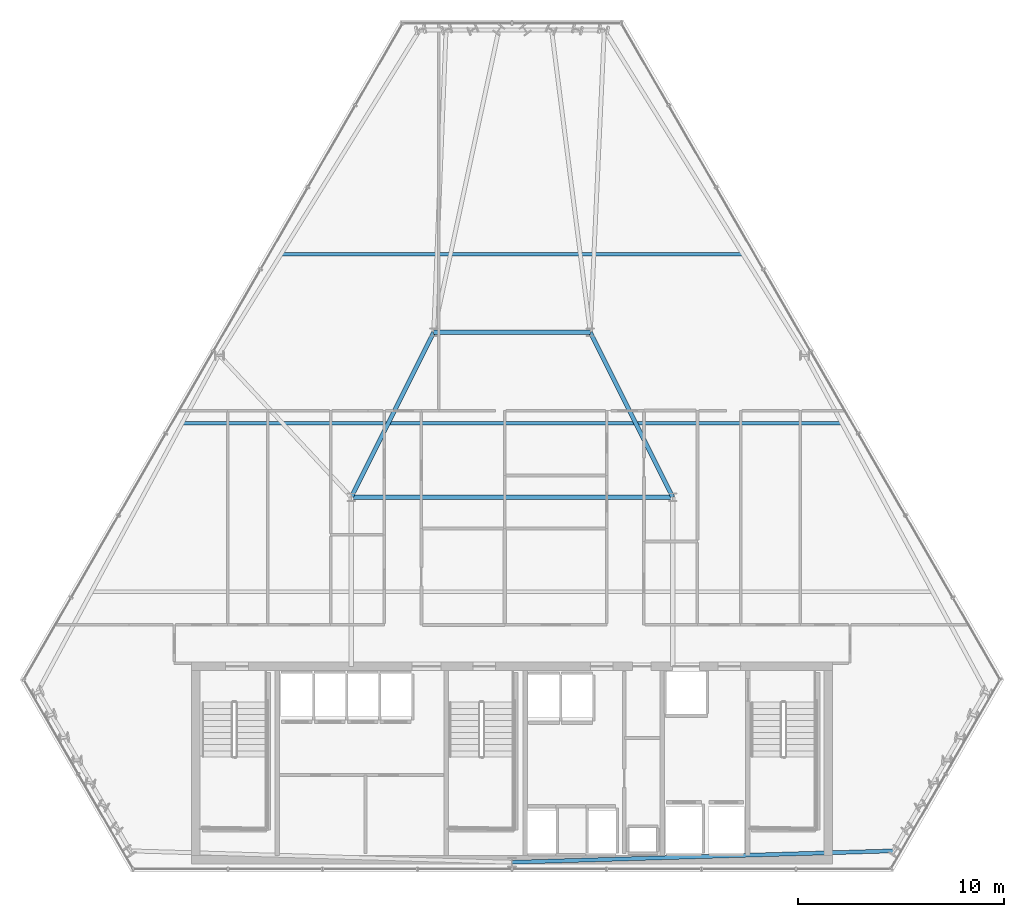
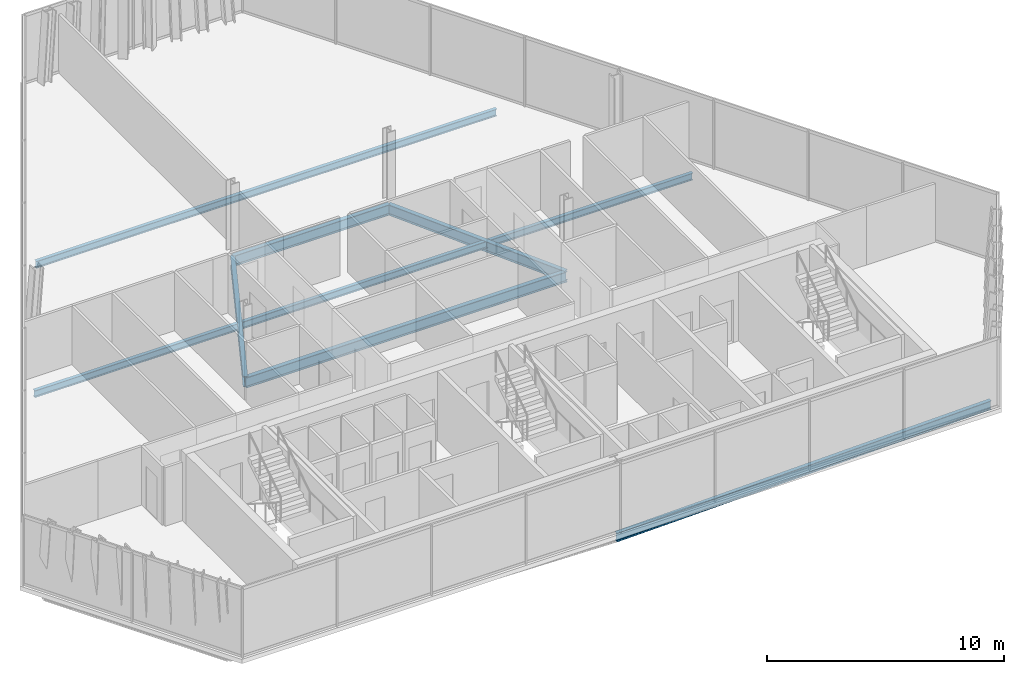
# One storey, part 14 of 33: 7 beams.
"""IFC4 building model written with IfcOpenShell, lengths in metres."""

from ifc_helpers import new_model, si_unit, direction, frame, origin, origin_2d, place, context, subcontext, project, spatial, i_section, extrude, material, material_profile, profile_set, type_object, element, save


model = new_model("IFC4")

# Units and contexts
model_context = context("Model", 3, precision=1e-05, world=origin(), true_north=direction((0.0, 1.0)))
body_context = subcontext(model_context, "Body", "Model", "MODEL_VIEW")
ifc_project = project(units=[si_unit("LENGTHUNIT", "METRE"), si_unit("AREAUNIT", "SQUARE_METRE"), si_unit("VOLUMEUNIT", "CUBIC_METRE"), si_unit("PLANEANGLEUNIT", "RADIAN"), si_unit("MASSUNIT", "GRAM", prefix="KILO")], contexts=[model_context])

# Site, building, storey
site_placement = place(None, origin())
site = spatial("IfcSite", under=ifc_project, at=site_placement, CompositionType="ELEMENT")
building_placement = place(site_placement, origin())
building = spatial("IfcBuilding", under=site, at=building_placement, Name="Ndaravel Arena Tower", CompositionType="ELEMENT")
storey_placement = place(building_placement, frame((0.0, 0.0, 168.800048828125)))
storey = spatial("IfcBuildingStorey", under=building, at=storey_placement, Name="L40", CompositionType="ELEMENT", Elevation=168.800048828125)

# Beams
ifc_material_1 = material(Name="Steel S355", Category="steel")
ifc_material_profile_1 = material_profile(ifc_material_1, i_section(OverallWidth=0.210693359375, OverallDepth=0.53955078125, WebThickness=0.01171875, FlangeThickness=0.018798828125, FilletRadius=0.0126953125, at=origin_2d()), Name="UB 533x210x109")
ifc_profile_set_1 = profile_set([ifc_material_profile_1], Name="Steel S355")
beam_type_1 = type_object("IfcBeamType", Name="BM-GIRD-UB533", PredefinedType="BEAM", material=ifc_profile_set_1)
beam_1_placement = place(storey_placement, frame((34.199951171875, 23.199951171875, -0.48974609375), z_axis=(1.0, 0.0, 0.0), x_axis=(0.0, 1.0, 0.0)))
element("IfcBeam", 1, at=beam_1_placement, inside=storey, type_object=beam_type_1, Name="L40 Spine Link Girder SLG-03", PredefinedType="BEAM", context=body_context, shape_type="SweptSolid", body=[
    extrude(i_section(OverallWidth=0.210693359375, OverallDepth=0.53955078125, WebThickness=0.01171875, FlangeThickness=0.018798828125, FilletRadius=0.0126953125, at=origin_2d()), origin(), (0.0, 0.0, 1.0), 15.60009765625),
])
for number, where, z_axis, x_axis, name in (
    (2, (34.199951171875, 23.199951171875, -0.48974609375), (0.4472135955, 0.894427191, 0.0), (-0.894427191, 0.4472135955, 0.0), "L40 Spine Link Girder SLG-04"),
    (3, (49.800048828125, 23.199951171875, -0.48974609375), (-0.4472135955, 0.894427191, 0.0), (-0.894427191, -0.4472135955, 0.0), "L40 Spine Link Girder SLG-05"),
):
    element("IfcBeam", number, at=place(storey_placement, frame(where, z_axis=z_axis, x_axis=x_axis)), inside=storey, type_object=beam_type_1, Name=name, PredefinedType="BEAM", context=body_context, shape_type="SweptSolid", body=[
        extrude(i_section(OverallWidth=0.210693359375, OverallDepth=0.53955078125, WebThickness=0.01171875, FlangeThickness=0.018798828125, FilletRadius=0.0126953125, at=origin_2d()), origin(), (0.0, 0.0, 1.0), 8.9443359375),
    ])
beam_2_placement = place(storey_placement, frame((38.199951171875, 31.199951171875, -0.48974609375), z_axis=(1.0, 0.0, 0.0), x_axis=(0.0, 1.0, 0.0)))
element("IfcBeam", 4, at=beam_2_placement, inside=storey, type_object=beam_type_1, Name="L40 Spine Link Girder SLG-06", PredefinedType="BEAM", context=body_context, shape_type="SweptSolid", body=[
    extrude(i_section(OverallWidth=0.210693359375, OverallDepth=0.53955078125, WebThickness=0.01171875, FlangeThickness=0.018798828125, FilletRadius=0.0126953125, at=origin_2d()), origin(), (0.0, 0.0, 1.0), 7.60009765625),
])
ifc_material_2 = material(Name="Steel S355", Category="steel")
ifc_material_profile_2 = material_profile(ifc_material_2, i_section(OverallWidth=0.172119140625, OverallDepth=0.35791015625, WebThickness=0.008056640625, FlangeThickness=0.012939453125, FilletRadius=0.01025390625, at=origin_2d()), Name="UB 356x171x57")
ifc_profile_set_2 = profile_set([ifc_material_profile_2], Name="Steel S355")
beam_type_2 = type_object("IfcBeamType", Name="BM-JOIST-UB356", PredefinedType="JOIST", material=ifc_profile_set_2)
beam_3_placement = place(storey_placement, frame((25.992919921875, 26.800048828125, -0.399169921875), z_axis=(1.0, 0.0, 0.0), x_axis=(0.0, 1.0, 0.0)))
element("IfcBeam", 5, at=beam_3_placement, inside=storey, type_object=beam_type_2, Name="L40 Composite Floor Joist FJ-02", PredefinedType="JOIST", context=body_context, shape_type="SweptSolid", body=[
    extrude(i_section(OverallWidth=0.172119140625, OverallDepth=0.35791015625, WebThickness=0.008056640625, FlangeThickness=0.012939453125, FilletRadius=0.01025390625, at=origin_2d()), origin(), (0.0, 0.0, 1.0), 32.01416015625),
])
beam_4_placement = place(storey_placement, frame((30.79541015625, 35.0, -0.399169921875), z_axis=(1.0, 0.0, 0.0), x_axis=(0.0, 1.0, 0.0)))
element("IfcBeam", 6, at=beam_4_placement, inside=storey, type_object=beam_type_2, Name="L40 Composite Floor Joist FJ-03", PredefinedType="JOIST", context=body_context, shape_type="SweptSolid", body=[
    extrude(i_section(OverallWidth=0.172119140625, OverallDepth=0.35791015625, WebThickness=0.008056640625, FlangeThickness=0.012939453125, FilletRadius=0.01025390625, at=origin_2d()), origin(), (0.0, 0.0, 1.0), 22.4091796875),
])
ifc_material_3 = material(Name="Steel S355", Category="steel")
ifc_material_profile_3 = material_profile(ifc_material_3, i_section(OverallWidth=0.18994140625, OverallDepth=0.449951171875, WebThickness=0.009521484375, FlangeThickness=0.0146484375, FilletRadius=0.02099609375, at=origin_2d()), Name="IPE 450")
ifc_profile_set_3 = profile_set([ifc_material_profile_3], Name="Steel S355")
beam_type_3 = type_object("IfcBeamType", Name="BM-SPAN-IPE450", PredefinedType="SPANDREL", material=ifc_profile_set_3)
beam_5_placement = place(storey_placement, frame((42.0, 5.47998046875, -0.445068359375), z_axis=(0.999552850435, 0.029901491401, 0.0), x_axis=(-0.029901491401, 0.999552850435, 0.0)))
element("IfcBeam", 7, at=beam_5_placement, inside=storey, type_object=beam_type_3, Name="L40 Perimeter Spandrel Beam SP-01", PredefinedType="SPANDREL", context=body_context, shape_type="SweptSolid", body=[
    extrude(i_section(OverallWidth=0.18994140625, OverallDepth=0.449951171875, WebThickness=0.009521484375, FlangeThickness=0.0146484375, FilletRadius=0.02099609375, at=origin_2d()), origin(), (0.0, 0.0, 1.0), 18.5341796875),
])

save(model, "model.ifc")
